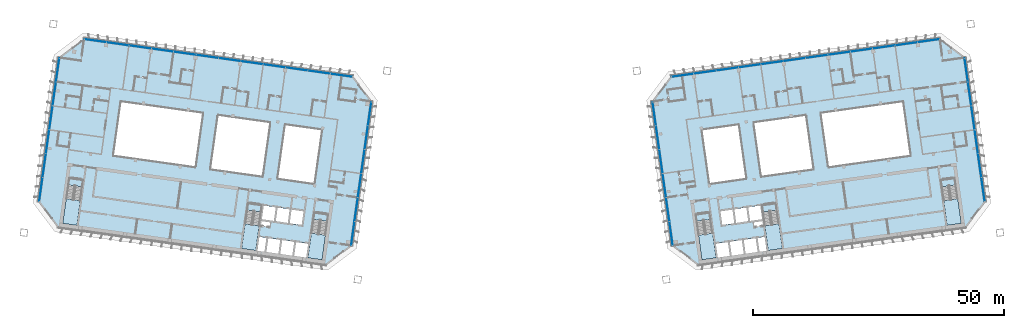
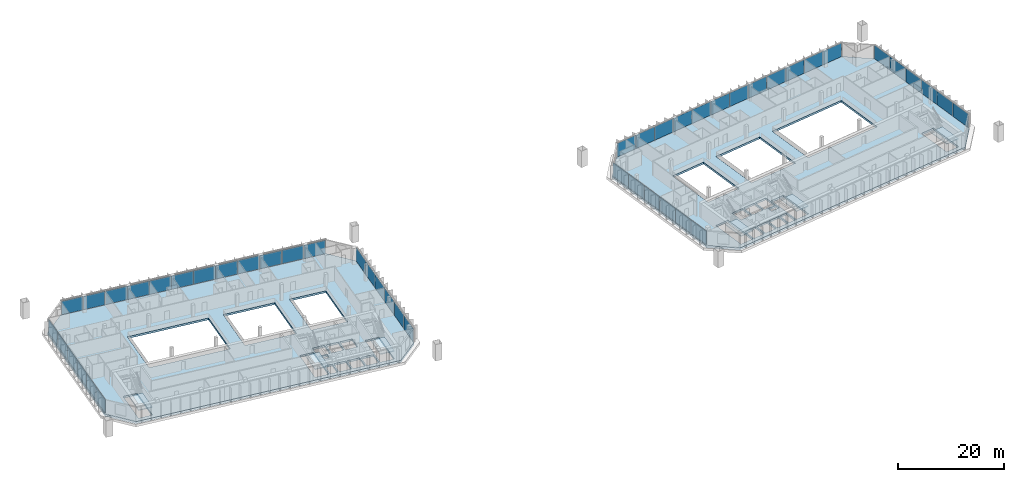
# One storey, part 14 of 26: 48 plates, 8 slabs, 12 elements without a shape of their own.
"""IFC4 building model written with IfcOpenShell, lengths in metres."""

from ifc_helpers import new_model, si_unit, direction, frame, origin, origin_2d, place, context, subcontext, project, spatial, polyline, rectangle, outline, extrude, material, layer, layer_set, type_object, element, aggregate, save


model = new_model("IFC4")

# Units and contexts
model_context = context("Model", 3, precision=1e-05, world=origin(), true_north=direction((0.0, 1.0)))
body_context = subcontext(model_context, "Body", "Model", "MODEL_VIEW")
ifc_project = project(units=[si_unit("LENGTHUNIT", "METRE"), si_unit("AREAUNIT", "SQUARE_METRE"), si_unit("VOLUMEUNIT", "CUBIC_METRE"), si_unit("PLANEANGLEUNIT", "RADIAN"), si_unit("MASSUNIT", "GRAM", prefix="KILO")], contexts=[model_context])

# Site, building, storey
site_placement = place(None, origin())
site = spatial("IfcSite", under=ifc_project, at=site_placement, CompositionType="ELEMENT")
building_placement = place(site_placement, origin())
building = spatial("IfcBuilding", under=site, at=building_placement, Name="Mirante Cascada Hotel Towers", CompositionType="ELEMENT")
storey_placement = place(building_placement, frame((0.0, 0.0, 161.2)))
storey = spatial("IfcBuildingStorey", under=building, at=storey_placement, Name="L37", CompositionType="ELEMENT", Elevation=161.2)

# Curtain wall, plates
ifc_material_1 = material(Name="Aluminium mullion and transom frame with clear laminated glass", Category="aluminium")
curtain_wall_type_1 = type_object("IfcCurtainWallType", Name="Ribbon curtain wall ECW1", PredefinedType="NOTDEFINED", material=ifc_material_1)
curtain_wall_1_placement = place(storey_placement, origin())
curtain_wall_1 = element("IfcCurtainWall", 1, at=curtain_wall_1_placement, inside=storey, type_object=curtain_wall_type_1, Name="Front ribbon wall T1 L37", PredefinedType="NOTDEFINED")
ifc_material_2 = material(Name="Clear laminated glass", Category="glass")
ifc_layer_1 = layer(ifc_material_2, 0.036)
ifc_layer_set_1 = layer_set([ifc_layer_1], Name="ECW1 glass panel 36")
plate_type_1 = type_object("IfcPlateType", Name="ECW1 glass panel 36", PredefinedType="CURTAIN_PANEL", material=ifc_layer_set_1)
plate_1_placement = place(storey_placement, frame((-83.0025, 24.4843, 0.1), z_axis=(0.0, 0.0, 1.0), x_axis=(0.9902681, -0.1391731, 0.0)))
plate_1 = element("IfcPlate", 2, at=plate_1_placement, type_object=plate_type_1, Name="ECW1 panel 1", PredefinedType="CURTAIN_PANEL", context=body_context, shape_type="SweptSolid", body=[
    extrude(rectangle(XDim=4.4007, YDim=0.036, at=origin_2d()), origin(), (0.0, 0.0, 1.0), 3.15),
])
plate_2_placement = place(storey_placement, frame((-78.5642, 23.8605, 0.1), z_axis=(0.0, 0.0, 1.0), x_axis=(0.9902681, -0.1391731, 0.0)))
plate_2 = element("IfcPlate", 3, at=plate_2_placement, type_object=plate_type_1, Name="ECW1 panel 2", PredefinedType="CURTAIN_PANEL", context=body_context, shape_type="SweptSolid", body=[
    extrude(rectangle(XDim=4.4332, YDim=0.036, at=origin_2d()), origin(), (0.0, 0.0, 1.0), 3.15),
])
plate_3_placement = place(storey_placement, frame((-74.1098, 23.2345, 0.1), z_axis=(0.0, 0.0, 1.0), x_axis=(0.9902681, -0.1391731, 0.0)))
plate_3 = element("IfcPlate", 4, at=plate_3_placement, type_object=plate_type_1, Name="ECW1 panel 3", PredefinedType="CURTAIN_PANEL", context=body_context, shape_type="SweptSolid", body=[
    extrude(rectangle(XDim=4.4332, YDim=0.036, at=origin_2d()), origin(), (0.0, 0.0, 1.0), 3.15),
])
plate_4_placement = place(storey_placement, frame((-69.6554, 22.6085, 0.1), z_axis=(0.0, 0.0, 1.0), x_axis=(0.9902681, -0.1391731, 0.0)))
plate_4 = element("IfcPlate", 5, at=plate_4_placement, type_object=plate_type_1, Name="ECW1 panel 4", PredefinedType="CURTAIN_PANEL", context=body_context, shape_type="SweptSolid", body=[
    extrude(rectangle(XDim=4.4332, YDim=0.036, at=origin_2d()), origin(), (0.0, 0.0, 1.0), 3.15),
])
plate_5_placement = place(storey_placement, frame((-65.201, 21.9824, 0.1), z_axis=(0.0, 0.0, 1.0), x_axis=(0.9902681, -0.1391731, 0.0)))
plate_5 = element("IfcPlate", 6, at=plate_5_placement, type_object=plate_type_1, Name="ECW1 panel 5", PredefinedType="CURTAIN_PANEL", context=body_context, shape_type="SweptSolid", body=[
    extrude(rectangle(XDim=4.4332, YDim=0.036, at=origin_2d()), origin(), (0.0, 0.0, 1.0), 3.15),
])
plate_6_placement = place(storey_placement, frame((-60.7466, 21.3564, 0.1), z_axis=(0.0, 0.0, 1.0), x_axis=(0.9902681, -0.1391731, 0.0)))
plate_6 = element("IfcPlate", 7, at=plate_6_placement, type_object=plate_type_1, Name="ECW1 panel 6", PredefinedType="CURTAIN_PANEL", context=body_context, shape_type="SweptSolid", body=[
    extrude(rectangle(XDim=4.4332, YDim=0.036, at=origin_2d()), origin(), (0.0, 0.0, 1.0), 3.15),
])
plate_7_placement = place(storey_placement, frame((-56.2922, 20.7304, 0.1), z_axis=(0.0, 0.0, 1.0), x_axis=(0.9902681, -0.1391731, 0.0)))
plate_7 = element("IfcPlate", 8, at=plate_7_placement, type_object=plate_type_1, Name="ECW1 panel 7", PredefinedType="CURTAIN_PANEL", context=body_context, shape_type="SweptSolid", body=[
    extrude(rectangle(XDim=4.4332, YDim=0.036, at=origin_2d()), origin(), (0.0, 0.0, 1.0), 3.15),
])
plate_8_placement = place(storey_placement, frame((-51.8378, 20.1044, 0.1), z_axis=(0.0, 0.0, 1.0), x_axis=(0.9902681, -0.1391731, 0.0)))
plate_8 = element("IfcPlate", 9, at=plate_8_placement, type_object=plate_type_1, Name="ECW1 panel 8", PredefinedType="CURTAIN_PANEL", context=body_context, shape_type="SweptSolid", body=[
    extrude(rectangle(XDim=4.4332, YDim=0.036, at=origin_2d()), origin(), (0.0, 0.0, 1.0), 3.15),
])
plate_9_placement = place(storey_placement, frame((-47.3835, 19.4783, 0.1), z_axis=(0.0, 0.0, 1.0), x_axis=(0.9902681, -0.1391731, 0.0)))
plate_9 = element("IfcPlate", 10, at=plate_9_placement, type_object=plate_type_1, Name="ECW1 panel 9", PredefinedType="CURTAIN_PANEL", context=body_context, shape_type="SweptSolid", body=[
    extrude(rectangle(XDim=4.4332, YDim=0.036, at=origin_2d()), origin(), (0.0, 0.0, 1.0), 3.15),
])
plate_10_placement = place(storey_placement, frame((-42.9291, 18.8523, 0.1), z_axis=(0.0, 0.0, 1.0), x_axis=(0.9902681, -0.1391731, 0.0)))
plate_10 = element("IfcPlate", 11, at=plate_10_placement, type_object=plate_type_1, Name="ECW1 panel 10", PredefinedType="CURTAIN_PANEL", context=body_context, shape_type="SweptSolid", body=[
    extrude(rectangle(XDim=4.4332, YDim=0.036, at=origin_2d()), origin(), (0.0, 0.0, 1.0), 3.15),
])
plate_11_placement = place(storey_placement, frame((-38.4747, 18.2263, 0.1), z_axis=(0.0, 0.0, 1.0), x_axis=(0.9902681, -0.1391731, 0.0)))
plate_11 = element("IfcPlate", 12, at=plate_11_placement, type_object=plate_type_1, Name="ECW1 panel 11", PredefinedType="CURTAIN_PANEL", context=body_context, shape_type="SweptSolid", body=[
    extrude(rectangle(XDim=4.4332, YDim=0.036, at=origin_2d()), origin(), (0.0, 0.0, 1.0), 3.15),
])
plate_12_placement = place(storey_placement, frame((-34.0364, 17.6025, 0.1), z_axis=(0.0, 0.0, 1.0), x_axis=(0.9902681, -0.1391731, 0.0)))
plate_12 = element("IfcPlate", 13, at=plate_12_placement, type_object=plate_type_1, Name="ECW1 panel 12", PredefinedType="CURTAIN_PANEL", context=body_context, shape_type="SweptSolid", body=[
    extrude(rectangle(XDim=4.4007, YDim=0.036, at=origin_2d()), origin(), (0.0, 0.0, 1.0), 3.15),
])
aggregate(curtain_wall_1, [plate_1, plate_2, plate_3, plate_4, plate_5, plate_6, plate_7, plate_8, plate_9, plate_10, plate_11, plate_12])

curtain_wall_2_placement = place(storey_placement, origin())
curtain_wall_2 = element("IfcCurtainWall", 14, at=curtain_wall_2_placement, inside=storey, type_object=curtain_wall_type_1, Name="Front ribbon wall T2 L37", PredefinedType="NOTDEFINED")
plate_13_placement = place(storey_placement, frame((83.0025, 24.4843, 0.1), z_axis=(0.0, 0.0, 1.0), x_axis=(-0.9902681, -0.1391731, 0.0)))
plate_13 = element("IfcPlate", 15, at=plate_13_placement, type_object=plate_type_1, Name="ECW1 panel 1", PredefinedType="CURTAIN_PANEL", context=body_context, shape_type="SweptSolid", body=[
    extrude(rectangle(XDim=4.4007, YDim=0.036, at=origin_2d()), origin(), (0.0, 0.0, 1.0), 3.15),
])
plate_14_placement = place(storey_placement, frame((78.5642, 23.8605, 0.1), z_axis=(0.0, 0.0, 1.0), x_axis=(-0.9902681, -0.1391731, 0.0)))
plate_14 = element("IfcPlate", 16, at=plate_14_placement, type_object=plate_type_1, Name="ECW1 panel 2", PredefinedType="CURTAIN_PANEL", context=body_context, shape_type="SweptSolid", body=[
    extrude(rectangle(XDim=4.4332, YDim=0.036, at=origin_2d()), origin(), (0.0, 0.0, 1.0), 3.15),
])
plate_15_placement = place(storey_placement, frame((74.1098, 23.2345, 0.1), z_axis=(0.0, 0.0, 1.0), x_axis=(-0.9902681, -0.1391731, 0.0)))
plate_15 = element("IfcPlate", 17, at=plate_15_placement, type_object=plate_type_1, Name="ECW1 panel 3", PredefinedType="CURTAIN_PANEL", context=body_context, shape_type="SweptSolid", body=[
    extrude(rectangle(XDim=4.4332, YDim=0.036, at=origin_2d()), origin(), (0.0, 0.0, 1.0), 3.15),
])
plate_16_placement = place(storey_placement, frame((69.6554, 22.6085, 0.1), z_axis=(0.0, 0.0, 1.0), x_axis=(-0.9902681, -0.1391731, 0.0)))
plate_16 = element("IfcPlate", 18, at=plate_16_placement, type_object=plate_type_1, Name="ECW1 panel 4", PredefinedType="CURTAIN_PANEL", context=body_context, shape_type="SweptSolid", body=[
    extrude(rectangle(XDim=4.4332, YDim=0.036, at=origin_2d()), origin(), (0.0, 0.0, 1.0), 3.15),
])
plate_17_placement = place(storey_placement, frame((65.201, 21.9824, 0.1), z_axis=(0.0, 0.0, 1.0), x_axis=(-0.9902681, -0.1391731, 0.0)))
plate_17 = element("IfcPlate", 19, at=plate_17_placement, type_object=plate_type_1, Name="ECW1 panel 5", PredefinedType="CURTAIN_PANEL", context=body_context, shape_type="SweptSolid", body=[
    extrude(rectangle(XDim=4.4332, YDim=0.036, at=origin_2d()), origin(), (0.0, 0.0, 1.0), 3.15),
])
plate_18_placement = place(storey_placement, frame((60.7466, 21.3564, 0.1), z_axis=(0.0, 0.0, 1.0), x_axis=(-0.9902681, -0.1391731, 0.0)))
plate_18 = element("IfcPlate", 20, at=plate_18_placement, type_object=plate_type_1, Name="ECW1 panel 6", PredefinedType="CURTAIN_PANEL", context=body_context, shape_type="SweptSolid", body=[
    extrude(rectangle(XDim=4.4332, YDim=0.036, at=origin_2d()), origin(), (0.0, 0.0, 1.0), 3.15),
])
plate_19_placement = place(storey_placement, frame((56.2922, 20.7304, 0.1), z_axis=(0.0, 0.0, 1.0), x_axis=(-0.9902681, -0.1391731, 0.0)))
plate_19 = element("IfcPlate", 21, at=plate_19_placement, type_object=plate_type_1, Name="ECW1 panel 7", PredefinedType="CURTAIN_PANEL", context=body_context, shape_type="SweptSolid", body=[
    extrude(rectangle(XDim=4.4332, YDim=0.036, at=origin_2d()), origin(), (0.0, 0.0, 1.0), 3.15),
])
plate_20_placement = place(storey_placement, frame((51.8378, 20.1044, 0.1), z_axis=(0.0, 0.0, 1.0), x_axis=(-0.9902681, -0.1391731, 0.0)))
plate_20 = element("IfcPlate", 22, at=plate_20_placement, type_object=plate_type_1, Name="ECW1 panel 8", PredefinedType="CURTAIN_PANEL", context=body_context, shape_type="SweptSolid", body=[
    extrude(rectangle(XDim=4.4332, YDim=0.036, at=origin_2d()), origin(), (0.0, 0.0, 1.0), 3.15),
])
plate_21_placement = place(storey_placement, frame((47.3835, 19.4783, 0.1), z_axis=(0.0, 0.0, 1.0), x_axis=(-0.9902681, -0.1391731, 0.0)))
plate_21 = element("IfcPlate", 23, at=plate_21_placement, type_object=plate_type_1, Name="ECW1 panel 9", PredefinedType="CURTAIN_PANEL", context=body_context, shape_type="SweptSolid", body=[
    extrude(rectangle(XDim=4.4332, YDim=0.036, at=origin_2d()), origin(), (0.0, 0.0, 1.0), 3.15),
])
plate_22_placement = place(storey_placement, frame((42.9291, 18.8523, 0.1), z_axis=(0.0, 0.0, 1.0), x_axis=(-0.9902681, -0.1391731, 0.0)))
plate_22 = element("IfcPlate", 24, at=plate_22_placement, type_object=plate_type_1, Name="ECW1 panel 10", PredefinedType="CURTAIN_PANEL", context=body_context, shape_type="SweptSolid", body=[
    extrude(rectangle(XDim=4.4332, YDim=0.036, at=origin_2d()), origin(), (0.0, 0.0, 1.0), 3.15),
])
plate_23_placement = place(storey_placement, frame((38.4747, 18.2263, 0.1), z_axis=(0.0, 0.0, 1.0), x_axis=(-0.9902681, -0.1391731, 0.0)))
plate_23 = element("IfcPlate", 25, at=plate_23_placement, type_object=plate_type_1, Name="ECW1 panel 11", PredefinedType="CURTAIN_PANEL", context=body_context, shape_type="SweptSolid", body=[
    extrude(rectangle(XDim=4.4332, YDim=0.036, at=origin_2d()), origin(), (0.0, 0.0, 1.0), 3.15),
])
plate_24_placement = place(storey_placement, frame((34.0364, 17.6025, 0.1), z_axis=(0.0, 0.0, 1.0), x_axis=(-0.9902681, -0.1391731, 0.0)))
plate_24 = element("IfcPlate", 26, at=plate_24_placement, type_object=plate_type_1, Name="ECW1 panel 12", PredefinedType="CURTAIN_PANEL", context=body_context, shape_type="SweptSolid", body=[
    extrude(rectangle(XDim=4.4007, YDim=0.036, at=origin_2d()), origin(), (0.0, 0.0, 1.0), 3.15),
])
aggregate(curtain_wall_2, [plate_13, plate_14, plate_15, plate_16, plate_17, plate_18, plate_19, plate_20, plate_21, plate_22, plate_23, plate_24])

ifc_material_3 = material(Name="Aluminium mullion and transom frame with clear laminated glass", Category="aluminium")
curtain_wall_type_2 = type_object("IfcCurtainWallType", Name="End ribbon curtain wall ECW2", PredefinedType="NOTDEFINED", material=ifc_material_3)
curtain_wall_3_placement = place(storey_placement, origin())
curtain_wall_3 = element("IfcCurtainWall", 27, at=curtain_wall_3_placement, inside=storey, type_object=curtain_wall_type_2, Name="Inner end wall T1 L37", PredefinedType="NOTDEFINED")
ifc_material_4 = material(Name="Clear laminated glass", Category="glass")
ifc_layer_2 = layer(ifc_material_4, 0.034)
ifc_layer_set_2 = layer_set([ifc_layer_2], Name="ECW2 glass panel 34")
plate_type_2 = type_object("IfcPlateType", Name="ECW2 glass panel 34", PredefinedType="CURTAIN_PANEL", material=ifc_layer_set_2)
plate_25_placement = place(storey_placement, frame((-28.3751, 9.905, 0.1), z_axis=(0.0, 0.0, 1.0), x_axis=(-0.1391731, -0.9902681, 0.0)))
plate_25 = element("IfcPlate", 28, at=plate_25_placement, type_object=plate_type_2, Name="ECW2 panel 1", PredefinedType="CURTAIN_PANEL", context=body_context, shape_type="SweptSolid", body=[
    extrude(rectangle(XDim=4.7151, YDim=0.034, at=origin_2d()), origin(), (0.0, 0.0, 1.0), 3.15),
])
plate_26_placement = place(storey_placement, frame((-29.0426, 5.1553, 0.1), z_axis=(0.0, 0.0, 1.0), x_axis=(-0.1391731, -0.9902681, 0.0)))
plate_26 = element("IfcPlate", 29, at=plate_26_placement, type_object=plate_type_2, Name="ECW2 panel 2", PredefinedType="CURTAIN_PANEL", context=body_context, shape_type="SweptSolid", body=[
    extrude(rectangle(XDim=4.7476, YDim=0.034, at=origin_2d()), origin(), (0.0, 0.0, 1.0), 3.15),
])
plate_27_placement = place(storey_placement, frame((-29.7124, 0.3895, 0.1), z_axis=(0.0, 0.0, 1.0), x_axis=(-0.1391731, -0.9902681, 0.0)))
plate_27 = element("IfcPlate", 30, at=plate_27_placement, type_object=plate_type_2, Name="ECW2 panel 3", PredefinedType="CURTAIN_PANEL", context=body_context, shape_type="SweptSolid", body=[
    extrude(rectangle(XDim=4.7476, YDim=0.034, at=origin_2d()), origin(), (0.0, 0.0, 1.0), 3.15),
])
plate_28_placement = place(storey_placement, frame((-30.3822, -4.3762, 0.1), z_axis=(0.0, 0.0, 1.0), x_axis=(-0.1391731, -0.9902681, 0.0)))
plate_28 = element("IfcPlate", 31, at=plate_28_placement, type_object=plate_type_2, Name="ECW2 panel 4", PredefinedType="CURTAIN_PANEL", context=body_context, shape_type="SweptSolid", body=[
    extrude(rectangle(XDim=4.7476, YDim=0.034, at=origin_2d()), origin(), (0.0, 0.0, 1.0), 3.15),
])
plate_29_placement = place(storey_placement, frame((-31.052, -9.142, 0.1), z_axis=(0.0, 0.0, 1.0), x_axis=(-0.1391731, -0.9902681, 0.0)))
plate_29 = element("IfcPlate", 32, at=plate_29_placement, type_object=plate_type_2, Name="ECW2 panel 5", PredefinedType="CURTAIN_PANEL", context=body_context, shape_type="SweptSolid", body=[
    extrude(rectangle(XDim=4.7476, YDim=0.034, at=origin_2d()), origin(), (0.0, 0.0, 1.0), 3.15),
])
plate_30_placement = place(storey_placement, frame((-31.7195, -13.8917, 0.1), z_axis=(0.0, 0.0, 1.0), x_axis=(-0.1391731, -0.9902681, 0.0)))
plate_30 = element("IfcPlate", 33, at=plate_30_placement, type_object=plate_type_2, Name="ECW2 panel 6", PredefinedType="CURTAIN_PANEL", context=body_context, shape_type="SweptSolid", body=[
    extrude(rectangle(XDim=4.7151, YDim=0.034, at=origin_2d()), origin(), (0.0, 0.0, 1.0), 3.15),
])
aggregate(curtain_wall_3, [plate_25, plate_26, plate_27, plate_28, plate_29, plate_30])

curtain_wall_4_placement = place(storey_placement, origin())
curtain_wall_4 = element("IfcCurtainWall", 34, at=curtain_wall_4_placement, inside=storey, type_object=curtain_wall_type_2, Name="Outer end wall T1 L37", PredefinedType="NOTDEFINED")
plate_31_placement = place(storey_placement, frame((-93.243, -0.4017, 0.1), z_axis=(0.0, 0.0, 1.0), x_axis=(0.1391731, 0.9902681, 0.0)))
plate_31 = element("IfcPlate", 35, at=plate_31_placement, type_object=plate_type_2, Name="ECW2 panel 2", PredefinedType="CURTAIN_PANEL", context=body_context, shape_type="SweptSolid", body=[
    extrude(rectangle(XDim=4.7476, YDim=0.034, at=origin_2d()), origin(), (0.0, 0.0, 1.0), 3.15),
])
plate_32_placement = place(storey_placement, frame((-92.5732, 4.3641, 0.1), z_axis=(0.0, 0.0, 1.0), x_axis=(0.1391731, 0.9902681, 0.0)))
plate_32 = element("IfcPlate", 36, at=plate_32_placement, type_object=plate_type_2, Name="ECW2 panel 3", PredefinedType="CURTAIN_PANEL", context=body_context, shape_type="SweptSolid", body=[
    extrude(rectangle(XDim=4.7476, YDim=0.034, at=origin_2d()), origin(), (0.0, 0.0, 1.0), 3.15),
])
plate_33_placement = place(storey_placement, frame((-91.9035, 9.1299, 0.1), z_axis=(0.0, 0.0, 1.0), x_axis=(0.1391731, 0.9902681, 0.0)))
plate_33 = element("IfcPlate", 37, at=plate_33_placement, type_object=plate_type_2, Name="ECW2 panel 4", PredefinedType="CURTAIN_PANEL", context=body_context, shape_type="SweptSolid", body=[
    extrude(rectangle(XDim=4.7476, YDim=0.034, at=origin_2d()), origin(), (0.0, 0.0, 1.0), 3.15),
])
plate_34_placement = place(storey_placement, frame((-91.2337, 13.8957, 0.1), z_axis=(0.0, 0.0, 1.0), x_axis=(0.1391731, 0.9902681, 0.0)))
plate_34 = element("IfcPlate", 38, at=plate_34_placement, type_object=plate_type_2, Name="ECW2 panel 5", PredefinedType="CURTAIN_PANEL", context=body_context, shape_type="SweptSolid", body=[
    extrude(rectangle(XDim=4.7476, YDim=0.034, at=origin_2d()), origin(), (0.0, 0.0, 1.0), 3.15),
])

curtain_wall_5_placement = place(storey_placement, origin())
curtain_wall_5 = element("IfcCurtainWall", 39, at=curtain_wall_5_placement, inside=storey, type_object=curtain_wall_type_2, Name="Inner end wall T2 L37", PredefinedType="NOTDEFINED")
plate_35_placement = place(storey_placement, frame((28.3751, 9.905, 0.1), z_axis=(0.0, 0.0, 1.0), x_axis=(0.1391731, -0.9902681, 0.0)))
plate_35 = element("IfcPlate", 40, at=plate_35_placement, type_object=plate_type_2, Name="ECW2 panel 1", PredefinedType="CURTAIN_PANEL", context=body_context, shape_type="SweptSolid", body=[
    extrude(rectangle(XDim=4.7151, YDim=0.034, at=origin_2d()), origin(), (0.0, 0.0, 1.0), 3.15),
])
plate_36_placement = place(storey_placement, frame((29.0426, 5.1553, 0.1), z_axis=(0.0, 0.0, 1.0), x_axis=(0.1391731, -0.9902681, 0.0)))
plate_36 = element("IfcPlate", 41, at=plate_36_placement, type_object=plate_type_2, Name="ECW2 panel 2", PredefinedType="CURTAIN_PANEL", context=body_context, shape_type="SweptSolid", body=[
    extrude(rectangle(XDim=4.7476, YDim=0.034, at=origin_2d()), origin(), (0.0, 0.0, 1.0), 3.15),
])
plate_37_placement = place(storey_placement, frame((29.7124, 0.3895, 0.1), z_axis=(0.0, 0.0, 1.0), x_axis=(0.1391731, -0.9902681, 0.0)))
plate_37 = element("IfcPlate", 42, at=plate_37_placement, type_object=plate_type_2, Name="ECW2 panel 3", PredefinedType="CURTAIN_PANEL", context=body_context, shape_type="SweptSolid", body=[
    extrude(rectangle(XDim=4.7476, YDim=0.034, at=origin_2d()), origin(), (0.0, 0.0, 1.0), 3.15),
])
plate_38_placement = place(storey_placement, frame((30.3822, -4.3762, 0.1), z_axis=(0.0, 0.0, 1.0), x_axis=(0.1391731, -0.9902681, 0.0)))
plate_38 = element("IfcPlate", 43, at=plate_38_placement, type_object=plate_type_2, Name="ECW2 panel 4", PredefinedType="CURTAIN_PANEL", context=body_context, shape_type="SweptSolid", body=[
    extrude(rectangle(XDim=4.7476, YDim=0.034, at=origin_2d()), origin(), (0.0, 0.0, 1.0), 3.15),
])
plate_39_placement = place(storey_placement, frame((31.052, -9.142, 0.1), z_axis=(0.0, 0.0, 1.0), x_axis=(0.1391731, -0.9902681, 0.0)))
plate_39 = element("IfcPlate", 44, at=plate_39_placement, type_object=plate_type_2, Name="ECW2 panel 5", PredefinedType="CURTAIN_PANEL", context=body_context, shape_type="SweptSolid", body=[
    extrude(rectangle(XDim=4.7476, YDim=0.034, at=origin_2d()), origin(), (0.0, 0.0, 1.0), 3.15),
])
plate_40_placement = place(storey_placement, frame((31.7195, -13.8917, 0.1), z_axis=(0.0, 0.0, 1.0), x_axis=(0.1391731, -0.9902681, 0.0)))
plate_40 = element("IfcPlate", 45, at=plate_40_placement, type_object=plate_type_2, Name="ECW2 panel 6", PredefinedType="CURTAIN_PANEL", context=body_context, shape_type="SweptSolid", body=[
    extrude(rectangle(XDim=4.7151, YDim=0.034, at=origin_2d()), origin(), (0.0, 0.0, 1.0), 3.15),
])
aggregate(curtain_wall_5, [plate_35, plate_36, plate_37, plate_38, plate_39, plate_40])

curtain_wall_6_placement = place(storey_placement, origin())
curtain_wall_6 = element("IfcCurtainWall", 46, at=curtain_wall_6_placement, inside=storey, type_object=curtain_wall_type_2, Name="Outer end wall T2 L37", PredefinedType="NOTDEFINED")
plate_41_placement = place(storey_placement, frame((93.243, -0.4017, 0.1), z_axis=(0.0, 0.0, 1.0), x_axis=(-0.1391731, 0.9902681, 0.0)))
plate_41 = element("IfcPlate", 47, at=plate_41_placement, type_object=plate_type_2, Name="ECW2 panel 2", PredefinedType="CURTAIN_PANEL", context=body_context, shape_type="SweptSolid", body=[
    extrude(rectangle(XDim=4.7476, YDim=0.034, at=origin_2d()), origin(), (0.0, 0.0, 1.0), 3.15),
])
plate_42_placement = place(storey_placement, frame((92.5732, 4.3641, 0.1), z_axis=(0.0, 0.0, 1.0), x_axis=(-0.1391731, 0.9902681, 0.0)))
plate_42 = element("IfcPlate", 48, at=plate_42_placement, type_object=plate_type_2, Name="ECW2 panel 3", PredefinedType="CURTAIN_PANEL", context=body_context, shape_type="SweptSolid", body=[
    extrude(rectangle(XDim=4.7476, YDim=0.034, at=origin_2d()), origin(), (0.0, 0.0, 1.0), 3.15),
])
plate_43_placement = place(storey_placement, frame((91.9035, 9.1299, 0.1), z_axis=(0.0, 0.0, 1.0), x_axis=(-0.1391731, 0.9902681, 0.0)))
plate_43 = element("IfcPlate", 49, at=plate_43_placement, type_object=plate_type_2, Name="ECW2 panel 4", PredefinedType="CURTAIN_PANEL", context=body_context, shape_type="SweptSolid", body=[
    extrude(rectangle(XDim=4.7476, YDim=0.034, at=origin_2d()), origin(), (0.0, 0.0, 1.0), 3.15),
])
plate_44_placement = place(storey_placement, frame((91.2337, 13.8957, 0.1), z_axis=(0.0, 0.0, 1.0), x_axis=(-0.1391731, 0.9902681, 0.0)))
plate_44 = element("IfcPlate", 50, at=plate_44_placement, type_object=plate_type_2, Name="ECW2 panel 5", PredefinedType="CURTAIN_PANEL", context=body_context, shape_type="SweptSolid", body=[
    extrude(rectangle(XDim=4.7476, YDim=0.034, at=origin_2d()), origin(), (0.0, 0.0, 1.0), 3.15),
])

# Plate
ifc_material_5 = material(Name="Insulated aluminium spandrel panel", Category="aluminium")
ifc_layer_3 = layer(ifc_material_5, 0.034)
ifc_layer_set_3 = layer_set([ifc_layer_3], Name="ECW2 spandrel panel 34")
plate_type_3 = type_object("IfcPlateType", Name="ECW2 spandrel panel 34", PredefinedType="CURTAIN_PANEL", material=ifc_layer_set_3)
plate_45_placement = place(storey_placement, frame((-93.9106, -5.1513, 0.1), z_axis=(0.0, 0.0, 1.0), x_axis=(0.1391731, 0.9902681, 0.0)))
plate_45 = element("IfcPlate", 51, at=plate_45_placement, type_object=plate_type_3, Name="ECW2 panel 1", PredefinedType="CURTAIN_PANEL", context=body_context, shape_type="SweptSolid", body=[
    extrude(rectangle(XDim=4.7151, YDim=0.034, at=origin_2d()), origin(), (0.0, 0.0, 1.0), 3.15),
])

plate_46_placement = place(storey_placement, frame((-90.5661, 18.6454, 0.1), z_axis=(0.0, 0.0, 1.0), x_axis=(0.1391731, 0.9902681, 0.0)))
plate_46 = element("IfcPlate", 52, at=plate_46_placement, type_object=plate_type_3, Name="ECW2 panel 6", PredefinedType="CURTAIN_PANEL", context=body_context, shape_type="SweptSolid", body=[
    extrude(rectangle(XDim=4.7151, YDim=0.034, at=origin_2d()), origin(), (0.0, 0.0, 1.0), 3.15),
])

aggregate(curtain_wall_4, [plate_45, plate_31, plate_32, plate_33, plate_34, plate_46])

plate_47_placement = place(storey_placement, frame((93.9106, -5.1513, 0.1), z_axis=(0.0, 0.0, 1.0), x_axis=(-0.1391731, 0.9902681, 0.0)))
plate_47 = element("IfcPlate", 53, at=plate_47_placement, type_object=plate_type_3, Name="ECW2 panel 1", PredefinedType="CURTAIN_PANEL", context=body_context, shape_type="SweptSolid", body=[
    extrude(rectangle(XDim=4.7151, YDim=0.034, at=origin_2d()), origin(), (0.0, 0.0, 1.0), 3.15),
])

plate_48_placement = place(storey_placement, frame((90.5661, 18.6454, 0.1), z_axis=(0.0, 0.0, 1.0), x_axis=(-0.1391731, 0.9902681, 0.0)))
plate_48 = element("IfcPlate", 54, at=plate_48_placement, type_object=plate_type_3, Name="ECW2 panel 6", PredefinedType="CURTAIN_PANEL", context=body_context, shape_type="SweptSolid", body=[
    extrude(rectangle(XDim=4.7151, YDim=0.034, at=origin_2d()), origin(), (0.0, 0.0, 1.0), 3.15),
])

aggregate(curtain_wall_6, [plate_47, plate_41, plate_42, plate_43, plate_44, plate_48])

# Stair, slab
ifc_material_6 = material(Name="Concrete C35/45", Category="concrete")
stair_type = type_object("IfcStairType", Name="Exit stair half-turn 1350 concrete C35/45", PredefinedType="HALF_TURN_STAIR", material=ifc_material_6)
stair_1_placement = place(storey_placement, origin())
stair_1 = element("IfcStair", 55, at=stair_1_placement, inside=storey, type_object=stair_type, Name="L37 Exit stair A", PredefinedType="HALF_TURN_STAIR")
ifc_material_7 = material(Name="Concrete C35/45", Category="concrete")
ifc_layer_4 = layer(ifc_material_7, 0.2)
ifc_layer_set_4 = layer_set([ifc_layer_4], Name="Exit stair landing 200 concrete C35/45")
slab_type_1 = type_object("IfcSlabType", Name="Exit stair landing 200 concrete C35/45", PredefinedType="LANDING", material=ifc_layer_set_4)
slab_1_placement = place(storey_placement, frame((0.0, 0.0, 1.7)))
slab_1 = element("IfcSlab", 56, at=slab_1_placement, type_object=slab_type_1, Name="ST1-A landing 1", PredefinedType="LANDING", context=body_context, shape_type="SweptSolid", body=[
    extrude(outline(polyline([(-39.9987, -13.8659), (-40.6887, -18.7757), (-37.8665, -19.1723), (-37.1765, -14.2626), (-39.9987, -13.8659)])), origin(), (0.0, 0.0, 1.0), 0.2),
])
aggregate(stair_1, [slab_1])

stair_2_placement = place(storey_placement, origin())
stair_2 = element("IfcStair", 57, at=stair_2_placement, inside=storey, type_object=stair_type, Name="L37 Exit stair B", PredefinedType="HALF_TURN_STAIR")
slab_2_placement = place(storey_placement, frame((0.0, 0.0, 1.7)))
slab_2 = element("IfcSlab", 58, at=slab_2_placement, type_object=slab_type_1, Name="ST1-B landing 1", PredefinedType="LANDING", context=body_context, shape_type="SweptSolid", body=[
    extrude(outline(polyline([(-53.2188, -12.008), (-53.9088, -16.9177), (-51.0866, -17.3144), (-50.3965, -12.4046), (-53.2188, -12.008)])), origin(), (0.0, 0.0, 1.0), 0.2),
])
aggregate(stair_2, [slab_2])

stair_3_placement = place(storey_placement, origin())
stair_3 = element("IfcStair", 59, at=stair_3_placement, inside=storey, type_object=stair_type, Name="L37 Exit stair C", PredefinedType="HALF_TURN_STAIR")
slab_3_placement = place(storey_placement, frame((0.0, 0.0, 1.7)))
slab_3 = element("IfcSlab", 60, at=slab_3_placement, type_object=slab_type_1, Name="ST1-C landing 1", PredefinedType="LANDING", context=body_context, shape_type="SweptSolid", body=[
    extrude(outline(polyline([(-88.8685, -6.9977), (-89.5585, -11.9075), (-86.7362, -12.3041), (-86.0462, -7.3944), (-88.8685, -6.9977)])), origin(), (0.0, 0.0, 1.0), 0.2),
])
aggregate(stair_3, [slab_3])

stair_4_placement = place(storey_placement, origin())
stair_4 = element("IfcStair", 61, at=stair_4_placement, inside=storey, type_object=stair_type, Name="L37 Exit stair A", PredefinedType="HALF_TURN_STAIR")
slab_4_placement = place(storey_placement, frame((0.0, 0.0, 1.7)))
slab_4 = element("IfcSlab", 62, at=slab_4_placement, type_object=slab_type_1, Name="ST2-A landing 1", PredefinedType="LANDING", context=body_context, shape_type="SweptSolid", body=[
    extrude(outline(polyline([(37.1765, -14.2626), (37.8665, -19.1723), (40.6887, -18.7757), (39.9987, -13.8659), (37.1765, -14.2626)])), origin(), (0.0, 0.0, 1.0), 0.2),
])
aggregate(stair_4, [slab_4])

stair_5_placement = place(storey_placement, origin())
stair_5 = element("IfcStair", 63, at=stair_5_placement, inside=storey, type_object=stair_type, Name="L37 Exit stair B", PredefinedType="HALF_TURN_STAIR")
slab_5_placement = place(storey_placement, frame((0.0, 0.0, 1.7)))
slab_5 = element("IfcSlab", 64, at=slab_5_placement, type_object=slab_type_1, Name="ST2-B landing 1", PredefinedType="LANDING", context=body_context, shape_type="SweptSolid", body=[
    extrude(outline(polyline([(50.3965, -12.4046), (51.0866, -17.3144), (53.9088, -16.9177), (53.2188, -12.008), (50.3965, -12.4046)])), origin(), (0.0, 0.0, 1.0), 0.2),
])
aggregate(stair_5, [slab_5])

stair_6_placement = place(storey_placement, origin())
stair_6 = element("IfcStair", 65, at=stair_6_placement, inside=storey, type_object=stair_type, Name="L37 Exit stair C", PredefinedType="HALF_TURN_STAIR")
slab_6_placement = place(storey_placement, frame((0.0, 0.0, 1.7)))
slab_6 = element("IfcSlab", 66, at=slab_6_placement, type_object=slab_type_1, Name="ST2-C landing 1", PredefinedType="LANDING", context=body_context, shape_type="SweptSolid", body=[
    extrude(outline(polyline([(86.0462, -7.3944), (86.7362, -12.3041), (89.5585, -11.9075), (88.8685, -6.9977), (86.0462, -7.3944)])), origin(), (0.0, 0.0, 1.0), 0.2),
])
aggregate(stair_6, [slab_6])

# Slabs
ifc_material_8 = material(Name="Concrete C40/50", Category="concrete")
ifc_layer_5 = layer(ifc_material_8, 0.45)
ifc_layer_set_5 = layer_set([ifc_layer_5], Name="Post-tensioned flat plate 450 Concrete C40/50")
slab_type_2 = type_object("IfcSlabType", Name="Post-tensioned flat plate 450 Concrete C40/50", PredefinedType="FLOOR", material=ifc_layer_set_5)
slab_7_placement = place(storey_placement, frame((0.0, 0.0, -0.45)))
element("IfcSlab", 67, at=slab_7_placement, inside=storey, type_object=slab_type_2, Name="Floor T1 L37", PredefinedType="FLOOR", context=body_context, shape_type="SweptSolid", body=[
    extrude(outline(polyline([(-31.9168, -16.3731), (-27.8808, 12.3447), (-31.7107, 17.4271), (-85.2864, 24.9567), (-90.3689, 21.1268), (-94.4049, -7.591), (-90.575, -12.6735), (-36.9993, -20.203), (-31.9168, -16.3731)]), holes=[polyline([(-40.5961, -15.9612), (-40.9858, -18.7339), (-43.4615, -18.386), (-43.0718, -15.6132), (-40.5961, -15.9612)]), polyline([(-45.8446, -15.2236), (-43.3689, -15.5715), (-43.7586, -18.3442), (-46.2342, -17.9963), (-45.8446, -15.2236)]), polyline([(-48.6173, -14.8339), (-46.1416, -15.1818), (-46.5313, -17.9546), (-49.007, -17.6066), (-48.6173, -14.8339)]), polyline([(-37.8665, -19.1723), (-40.6887, -18.7757), (-39.611, -11.107), (-36.7887, -11.5037), (-37.8665, -19.1723)]), polyline([(-43.9775, -9.124), (-41.5018, -9.472), (-41.8915, -12.2447), (-44.3672, -11.8968), (-43.9775, -9.124)]), polyline([(-46.7503, -8.7344), (-44.2746, -9.0823), (-44.6643, -11.855), (-47.1399, -11.5071), (-46.7503, -8.7344)]), polyline([(-48.9144, -14.7921), (-49.3041, -17.5649), (-50.7895, -17.3561), (-50.3998, -14.5834), (-48.9144, -14.7921)]), polyline([(-50.0088, -9.6457), (-51.0866, -17.3144), (-53.9088, -16.9177), (-52.8311, -9.2491), (-50.0088, -9.6457)]), polyline([(-85.6585, -4.6355), (-86.7362, -12.3041), (-89.5585, -11.9075), (-88.4807, -4.2388), (-85.6585, -4.6355)]), polyline([(-48.1472, -11.6685), (-48.2829, -12.634), (-50.0901, -12.38), (-49.9544, -11.4145), (-48.1472, -11.6685)]), polyline([(-49.523, -8.3447), (-47.0473, -8.6926), (-47.437, -11.4654), (-49.9127, -11.1174), (-49.523, -8.3447)]), polyline([(-61.5715, 10.1118), (-61.5715, 10.1118), (-63.1024, -0.7812), (-63.1024, -0.7812), (-79.4915, 1.5222), (-77.9606, 12.4151), (-61.5715, 10.1118)]), polyline([(-48.1776, 8.2294), (-49.7085, -2.6636), (-49.7085, -2.6636), (-60.1296, -1.199), (-60.1296, -1.199), (-58.5987, 9.694), (-48.1776, 8.2294)]), polyline([(-37.8547, 6.7786), (-39.3856, -4.1144), (-46.7357, -3.0814), (-46.7357, -3.0814), (-45.2048, 7.8116), (-37.8547, 6.7786)])]), origin(), (0.0, 0.0, 1.0), 0.45),
])
slab_8_placement = place(storey_placement, frame((0.0, 0.0, -0.45)))
element("IfcSlab", 68, at=slab_8_placement, inside=storey, type_object=slab_type_2, Name="Floor T2 L37", PredefinedType="FLOOR", context=body_context, shape_type="SweptSolid", body=[
    extrude(outline(polyline([(31.9168, -16.3731), (27.8808, 12.3447), (31.7107, 17.4271), (85.2864, 24.9567), (90.3689, 21.1268), (94.4049, -7.591), (90.575, -12.6735), (36.9993, -20.203), (31.9168, -16.3731)]), holes=[polyline([(40.5961, -15.9612), (40.9858, -18.7339), (43.4615, -18.386), (43.0718, -15.6132), (40.5961, -15.9612)]), polyline([(45.8446, -15.2236), (43.3689, -15.5715), (43.7586, -18.3442), (46.2342, -17.9963), (45.8446, -15.2236)]), polyline([(48.6173, -14.8339), (46.1416, -15.1818), (46.5313, -17.9546), (49.007, -17.6066), (48.6173, -14.8339)]), polyline([(40.6887, -18.7757), (39.611, -11.107), (36.7887, -11.5037), (37.8665, -19.1723), (40.6887, -18.7757)]), polyline([(43.9775, -9.124), (41.5018, -9.472), (41.8915, -12.2447), (44.3672, -11.8968), (43.9775, -9.124)]), polyline([(46.7503, -8.7344), (44.2746, -9.0823), (44.6643, -11.855), (47.1399, -11.5071), (46.7503, -8.7344)]), polyline([(48.9144, -14.7921), (49.3041, -17.5649), (50.7895, -17.3561), (50.3998, -14.5834), (48.9144, -14.7921)]), polyline([(51.0866, -17.3144), (53.9088, -16.9177), (52.8311, -9.2491), (50.0088, -9.6457), (51.0866, -17.3144)]), polyline([(86.7362, -12.3041), (89.5585, -11.9075), (88.4807, -4.2388), (85.6585, -4.6355), (86.7362, -12.3041)]), polyline([(48.1472, -11.6685), (48.2829, -12.634), (50.0901, -12.38), (49.9544, -11.4145), (48.1472, -11.6685)]), polyline([(49.523, -8.3447), (47.0473, -8.6926), (47.437, -11.4654), (49.9127, -11.1174), (49.523, -8.3447)]), polyline([(77.9606, 12.4151), (79.4915, 1.5222), (63.1024, -0.7812), (63.1024, -0.7812), (61.5715, 10.1118), (61.5715, 10.1118), (77.9606, 12.4151)]), polyline([(58.5987, 9.694), (60.1296, -1.199), (60.1296, -1.199), (49.7085, -2.6636), (49.7085, -2.6636), (48.1776, 8.2294), (58.5987, 9.694)]), polyline([(39.3856, -4.1144), (37.8547, 6.7786), (45.2048, 7.8116), (46.7357, -3.0814), (46.7357, -3.0814), (39.3856, -4.1144)])]), origin(), (0.0, 0.0, 1.0), 0.45),
])

save(model, "model.ifc")
